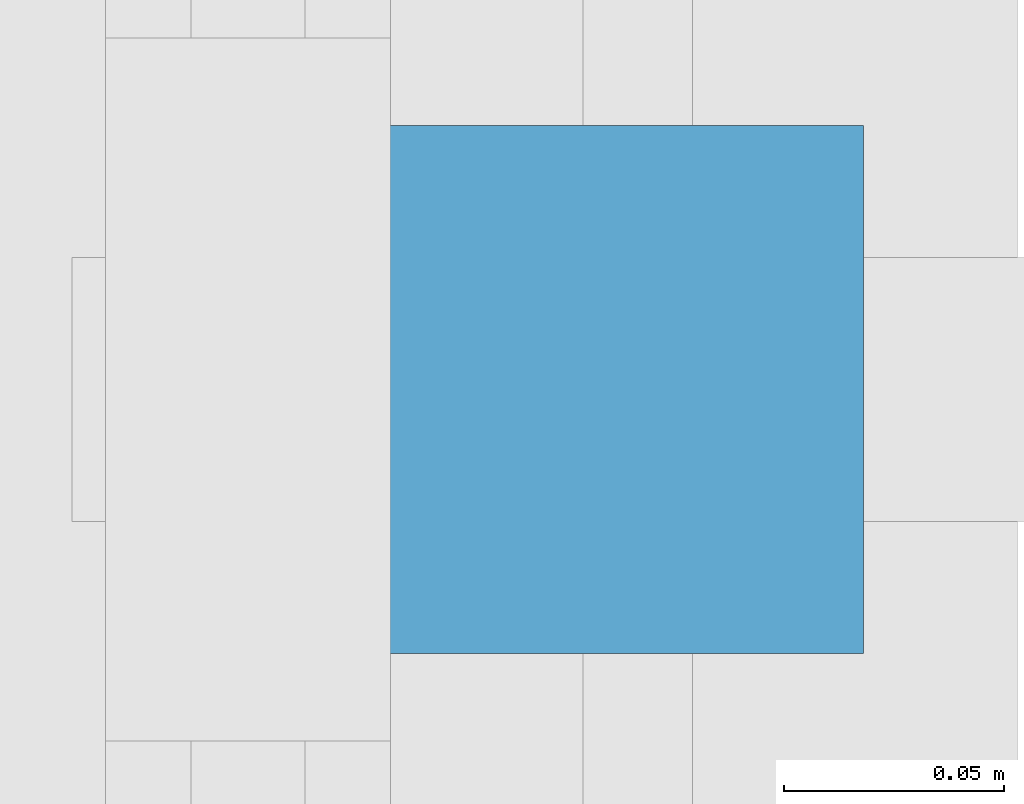
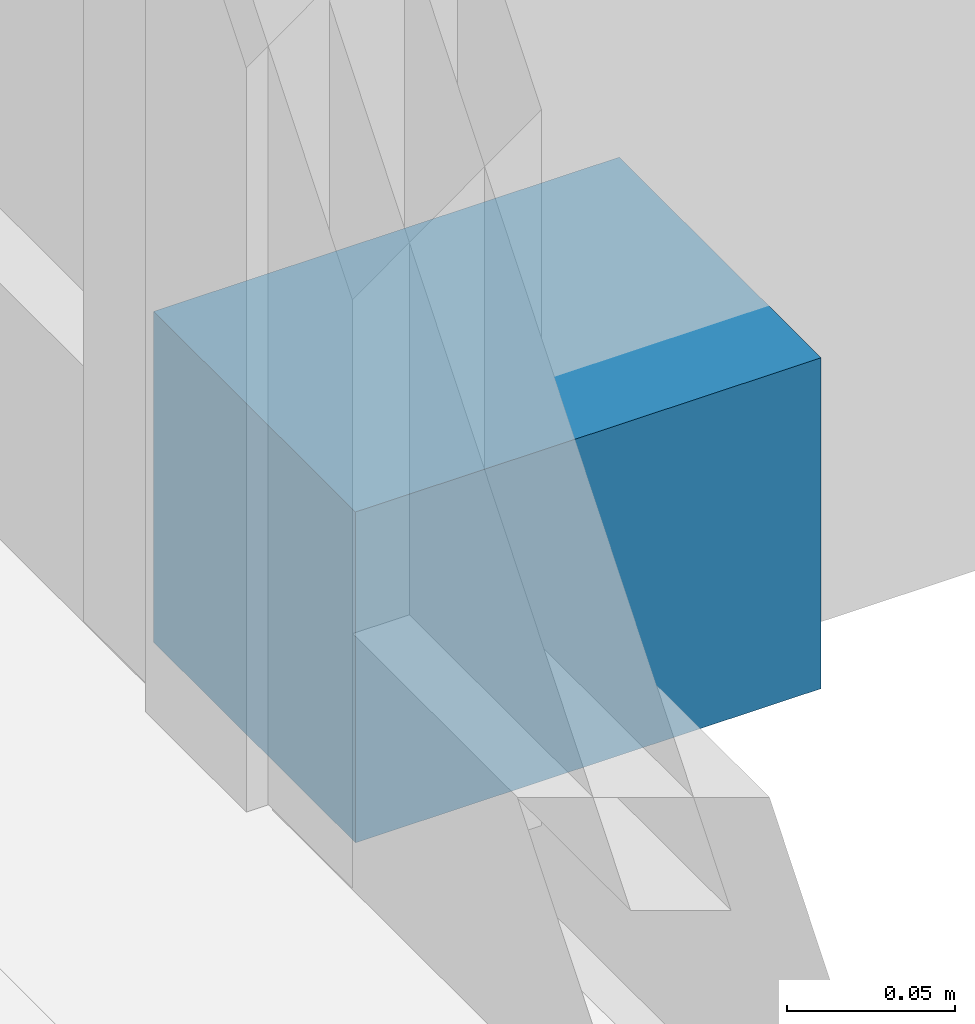
# One storey, part 28 of 41: 1 discrete accessory.
"""IFC4 building model written with IfcOpenShell, lengths in metres."""

from ifc_helpers import new_model, si_unit, direction, frame, origin, origin_2d, place, context, subcontext, project, spatial, rectangle, extrude, material, type_object, element, save


model = new_model("IFC4")

# Units and contexts
model_context = context("Model", 3, precision=1e-05, world=origin(), true_north=direction((0.0, 1.0)))
body_context = subcontext(model_context, "Body", "Model", "MODEL_VIEW")
ifc_project = project(units=[si_unit("LENGTHUNIT", "METRE"), si_unit("AREAUNIT", "SQUARE_METRE"), si_unit("VOLUMEUNIT", "CUBIC_METRE"), si_unit("PLANEANGLEUNIT", "RADIAN"), si_unit("MASSUNIT", "GRAM", prefix="KILO")], contexts=[model_context])

# Site, building, storey
site_placement = place(None, origin())
site = spatial("IfcSite", under=ifc_project, at=site_placement, CompositionType="ELEMENT")
building_placement = place(site_placement, origin())
building = spatial("IfcBuilding", under=site, at=building_placement, Name="Namkhue Oval Health Centre", CompositionType="ELEMENT")
storey_placement = place(building_placement, frame((0.0, 0.0, 13.800048828125)))
storey = spatial("IfcBuildingStorey", under=building, at=storey_placement, Name="L03", CompositionType="ELEMENT", Elevation=13.800048828125)

# Discrete accessory
ifc_material = material(Name="Structural steel S355JR (TCVN CCT38)", Category="steel")
discrete_accessory_type = type_object("IfcDiscreteAccessoryType", Name="FACADE SHADING BRACKET", PredefinedType="BRACKET", material=ifc_material)
discrete_accessory_placement = place(storey_placement, frame((122.4599609375, 100.800048828125, 0.0), z_axis=(0.0, 0.0, 1.0), x_axis=(1.0, 0.0, 0.0)))
element("IfcDiscreteAccessory", 1, at=discrete_accessory_placement, inside=storey, type_object=discrete_accessory_type, Name="Solar Fin Bracket 156", PredefinedType="BRACKET", context=body_context, shape_type="SweptSolid", body=[
    extrude(rectangle(XDim=0.159912109375, YDim=0.1201171875, at=origin_2d()), origin(), (0.0, 0.0, 1.0), 0.1201171875),
])

save(model, "model.ifc")
